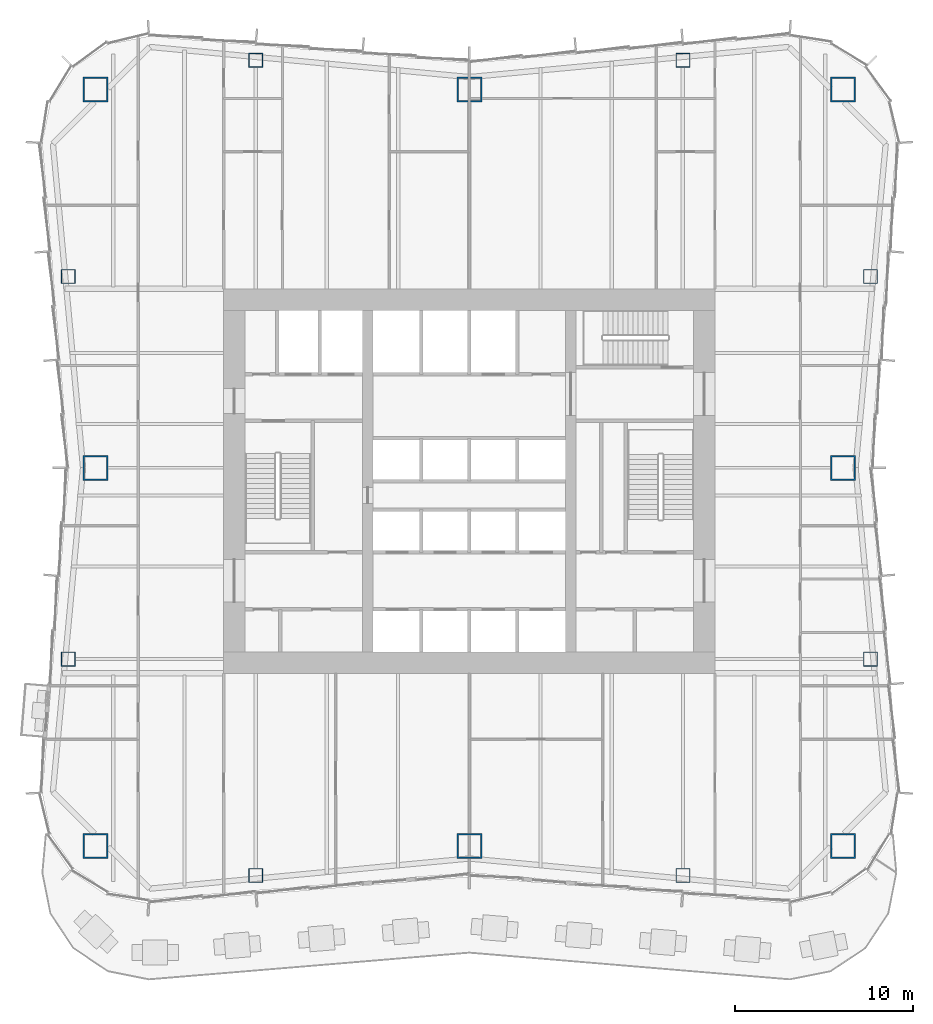
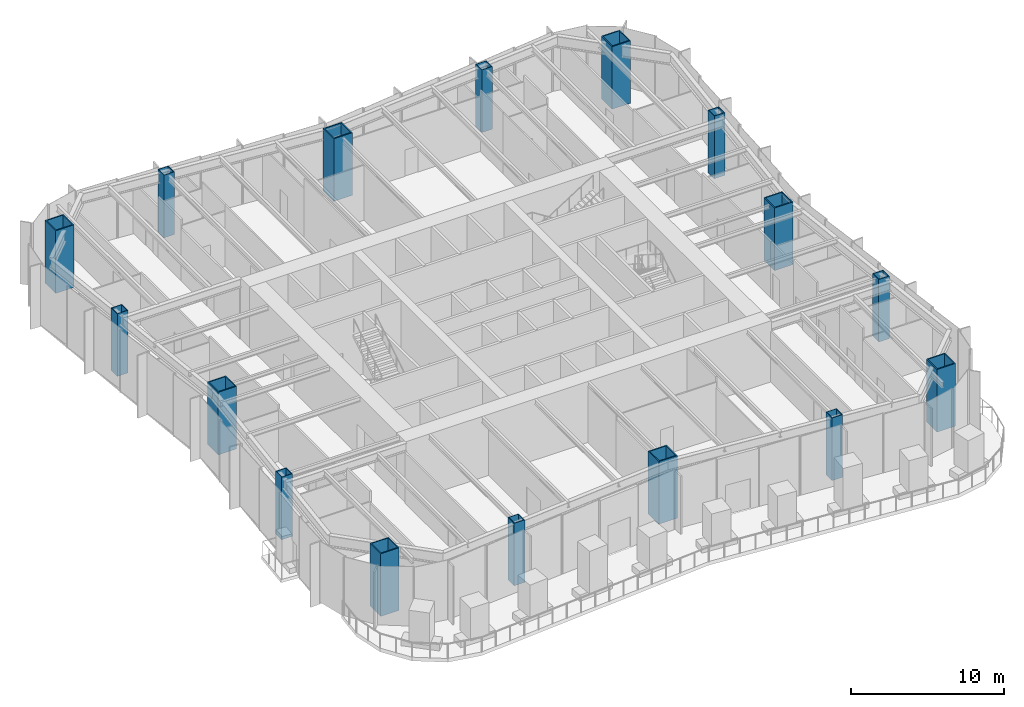
# One storey, part 1 of 15: 16 columns.
"""IFC4 building model written with IfcOpenShell, lengths in metres."""

from ifc_helpers import new_model, si_unit, direction, frame, origin, origin_2d, place, context, subcontext, project, spatial, hollow_rectangle, extrude, material, material_profile, profile_set, type_object, element, save


model = new_model("IFC4")

# Units and contexts
model_context = context("Model", 3, precision=1e-05, world=origin(), true_north=direction((0.0, 1.0)))
body_context = subcontext(model_context, "Body", "Model", "MODEL_VIEW")
ifc_project = project(units=[si_unit("LENGTHUNIT", "METRE"), si_unit("AREAUNIT", "SQUARE_METRE"), si_unit("VOLUMEUNIT", "CUBIC_METRE"), si_unit("PLANEANGLEUNIT", "RADIAN"), si_unit("MASSUNIT", "GRAM", prefix="KILO")], contexts=[model_context])

# Site, building, storey
site_placement = place(None, origin())
site = spatial("IfcSite", under=ifc_project, at=site_placement, CompositionType="ELEMENT")
building_placement = place(site_placement, origin())
building = spatial("IfcBuilding", under=site, at=building_placement, Name="Verdant Reach Tower", CompositionType="ELEMENT")
storey_placement = place(building_placement, frame((0.0, 0.0, 65.0)))
storey = spatial("IfcBuildingStorey", under=building, at=storey_placement, Name="L14", CompositionType="ELEMENT", Elevation=65.0)

# Columns
ifc_material = material(Name="Steel S460", Category="steel")
ifc_material_profile_1 = material_profile(ifc_material, hollow_rectangle(XDim=1.39990234375, YDim=1.39990234375, WallThickness=0.080078125, at=origin_2d()), Name="WB 1400x1400x80")
ifc_profile_set_1 = profile_set([ifc_material_profile_1], Name="Steel S460")
column_type_1 = type_object("IfcColumnType", Name="ST-COL-WB1400x1400x80", PredefinedType="COLUMN", material=ifc_profile_set_1)
for number, where, z_axis, x_axis, name in (
    (1, (-21.0, 50.0, 0.0), (0.0, 0.0, 1.0), (1.0, 0.0, 0.0), "Mega column north-west, L14"),
    (2, (0.0, 50.0, 0.0), (0.0, 0.0, 1.0), (1.0, 0.0, 0.0), "Mega column north, L14"),
    (3, (21.0, 50.0, 0.0), (0.0, 0.0, 1.0), (1.0, 0.0, 0.0), "Mega column north-east, L14"),
    (4, (21.0, 28.75, 0.0), (0.0, 0.0, 1.0), (1.0, 0.0, 0.0), "Mega column east, L14"),
    (5, (21.0, 7.5, 0.0), (0.0, 0.0, 1.0), (1.0, 0.0, 0.0), "Mega column south-east, L14"),
    (6, (0.0, 7.5, 0.0), (0.0, 0.0, 1.0), (1.0, 0.0, 0.0), "Mega column south, L14"),
    (7, (-21.0, 7.5, 0.0), (0.0, 0.0, 1.0), (1.0, 0.0, 0.0), "Mega column south-west, L14"),
    (8, (-21.0, 28.75, 0.0), (0.0, 0.0, 1.0), (1.0, 0.0, 0.0), "Mega column west, L14"),
):
    element("IfcColumn", number, at=place(storey_placement, frame(where, z_axis=z_axis, x_axis=x_axis)), inside=storey, type_object=column_type_1, Name=name, PredefinedType="COLUMN", context=body_context, shape_type="SweptSolid", body=[
        extrude(hollow_rectangle(XDim=1.39990234375, YDim=1.39990234375, WallThickness=0.080078125, at=origin_2d()), origin(), (0.0, 0.0, 1.0), 5.0),
    ])
ifc_material_profile_2 = material_profile(ifc_material, hollow_rectangle(XDim=0.800048828125, YDim=0.800048828125, WallThickness=0.0400390625, at=origin_2d()), Name="WB 800x800x40")
ifc_profile_set_2 = profile_set([ifc_material_profile_2], Name="Steel S460")
column_type_2 = type_object("IfcColumnType", Name="ST-COL-WB800x800x40", PredefinedType="COLUMN", material=ifc_profile_set_2)
for number, where, z_axis, x_axis, name in (
    (9, (-12.0, 51.64990234375, 0.0), (0.0, 0.0, 1.0), (1.0, 0.0, 0.0), "Perimeter column north 1, L14"),
    (10, (12.0, 51.64990234375, 0.0), (0.0, 0.0, 1.0), (1.0, 0.0, 0.0), "Perimeter column north 2, L14"),
    (11, (-12.0, 5.85009765625, 0.0), (0.0, 0.0, 1.0), (1.0, 0.0, 0.0), "Perimeter column south 1, L14"),
    (12, (12.0, 5.85009765625, 0.0), (0.0, 0.0, 1.0), (1.0, 0.0, 0.0), "Perimeter column south 2, L14"),
    (13, (22.53369140625, 18.0, 0.0), (0.0, 0.0, 1.0), (1.0, 0.0, 0.0), "Perimeter column east 1, L14"),
    (14, (22.53369140625, 39.5, 0.0), (0.0, 0.0, 1.0), (1.0, 0.0, 0.0), "Perimeter column east 2, L14"),
    (15, (-22.53369140625, 18.0, 0.0), (0.0, 0.0, 1.0), (1.0, 0.0, 0.0), "Perimeter column west 1, L14"),
    (16, (-22.53369140625, 39.5, 0.0), (0.0, 0.0, 1.0), (1.0, 0.0, 0.0), "Perimeter column west 2, L14"),
):
    element("IfcColumn", number, at=place(storey_placement, frame(where, z_axis=z_axis, x_axis=x_axis)), inside=storey, type_object=column_type_2, Name=name, PredefinedType="COLUMN", context=body_context, shape_type="SweptSolid", body=[
        extrude(hollow_rectangle(XDim=0.800048828125, YDim=0.800048828125, WallThickness=0.0400390625, at=origin_2d()), origin(), (0.0, 0.0, 1.0), 5.0),
    ])

save(model, "model.ifc")
